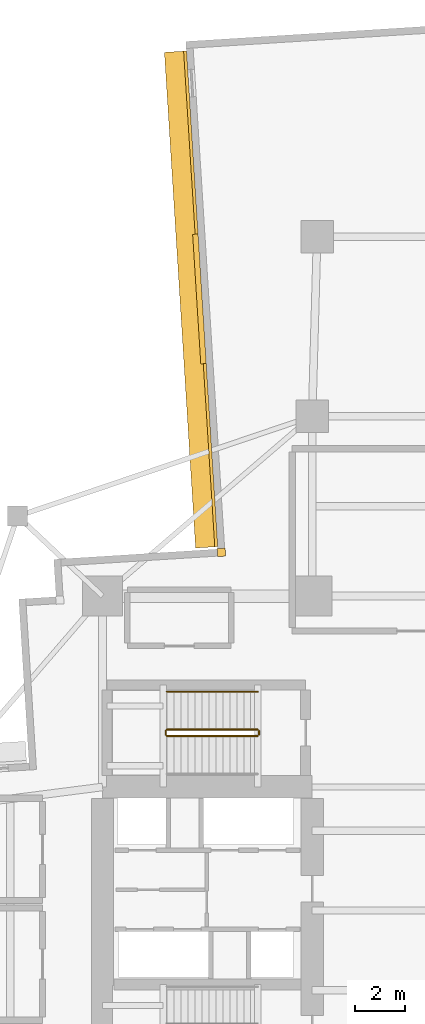
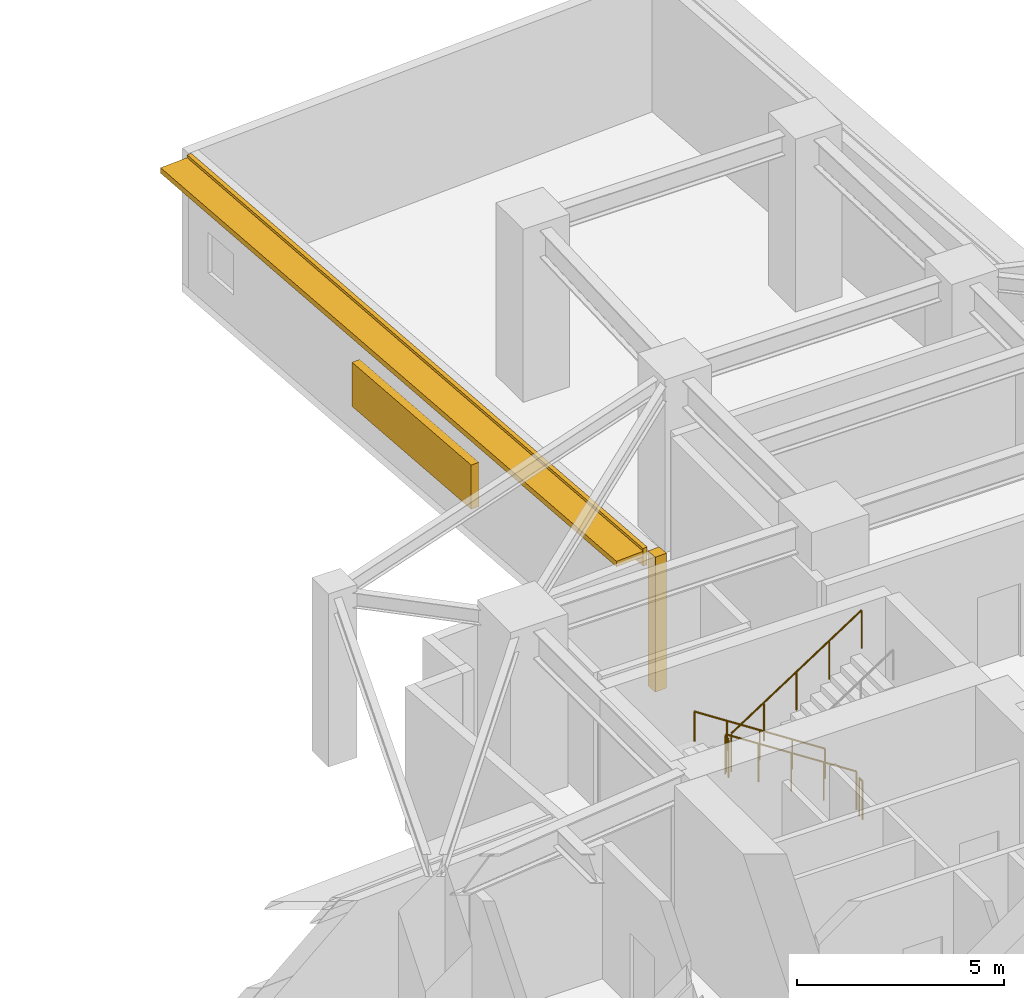
# One storey, part 10 of 11: 5 railings, 2 coverings, 2 shading devices.
"""IFC4 building model written with IfcOpenShell, lengths in metres."""

from ifc_helpers import new_model, si_unit, direction, frame, origin, origin_2d, place, context, subcontext, project, spatial, rectangle, circle, extrude, material, layer, layer_set, type_object, element, save


model = new_model("IFC4")

# Units and contexts
model_context = context("Model", 3, precision=1e-05, world=origin(), true_north=direction((0.0, 1.0)))
body_context = subcontext(model_context, "Body", "Model", "MODEL_VIEW")
ifc_project = project(units=[si_unit("LENGTHUNIT", "METRE"), si_unit("AREAUNIT", "SQUARE_METRE"), si_unit("VOLUMEUNIT", "CUBIC_METRE"), si_unit("PLANEANGLEUNIT", "RADIAN"), si_unit("MASSUNIT", "GRAM", prefix="KILO")], contexts=[model_context])

# Site, building, storey
site_placement = place(None, origin())
site = spatial("IfcSite", under=ifc_project, at=site_placement, CompositionType="ELEMENT")
building_placement = place(site_placement, origin())
building = spatial("IfcBuilding", under=site, at=building_placement, Name="Qingluan Cross Belvedere", CompositionType="ELEMENT")
storey_placement = place(building_placement, frame((0.0, 0.0, 47.10009765625)))
storey = spatial("IfcBuildingStorey", under=building, at=storey_placement, Name="L12", CompositionType="ELEMENT", Elevation=47.10009765625)

# Coverings
ifc_material_1 = material(Name="Precast concrete C45", Category="concrete")
ifc_layer_1 = layer(ifc_material_1, 0.1201171875, Name="ConcreteSpandrelCladding_120")
ifc_layer_set_1 = layer_set([ifc_layer_1], Name="Precast concrete C45")
covering_type = type_object("IfcCoveringType", Name="ConcreteSpandrelCladding_120", PredefinedType="CLADDING", material=ifc_layer_set_1)
covering_1_placement = place(storey_placement, frame((-8.465576171875, 24.5068359375, 3.519775390625), z_axis=(0.0, 0.0, 1.0), x_axis=(0.062791158819, -0.998026688207, 0.0)))
element("IfcCovering", 1, at=covering_1_placement, inside=storey, type_object=covering_type, Name="Spandrel cladding L12-NB", PredefinedType="CLADDING", context=body_context, shape_type="SweptSolid", body=[
    extrude(rectangle(XDim=19.89990234375, YDim=0.1201171875, at=origin_2d()), origin(), (0.0, 0.0, 1.0), 0.52001953125),
])
covering_2_placement = place(storey_placement, frame((-7.635986328125, 14.348876953125, 0.0), z_axis=(0.0, 0.0, 1.0), x_axis=(0.998026728428, 0.062790519529, 0.0)))
element("IfcCovering", 2, at=covering_2_placement, inside=storey, type_object=covering_type, Name="Corner closure L12-NW2", PredefinedType="CLADDING", context=body_context, shape_type="SweptSolid", body=[
    extrude(rectangle(XDim=0.320068359375, YDim=0.320068359375, at=origin_2d()), origin(), (0.0, 0.0, 1.0), 3.97998046875),
])

# Shading devices
ifc_material_2 = material(Name="Precast concrete C45", Category="concrete")
ifc_layer_2 = layer(ifc_material_2, 0.159912109375, Name="ConcreteSunshadeBand_900")
ifc_layer_set_2 = layer_set([ifc_layer_2], Name="Precast concrete C45")
shading_device_type_1 = type_object("IfcShadingDeviceType", Name="ConcreteSunshadeBand_900", PredefinedType="USERDEFINED", material=ifc_layer_set_2)
shading_device_1_placement = place(storey_placement, frame((-8.8447265625, 24.48291015625, 3.7998046875), z_axis=(0.0, 0.0, 1.0), x_axis=(0.062791158819, -0.998026688207, 0.0)))
element("IfcShadingDevice", 3, at=shading_device_1_placement, inside=storey, type_object=shading_device_type_1, Name="Concrete SUNSHADE L12-NB", ObjectType="SUNSHADE", PredefinedType="USERDEFINED", context=body_context, shape_type="SweptSolid", body=[
    extrude(rectangle(XDim=19.89990234375, YDim=0.89990234375, at=origin_2d()), origin(), (0.0, 0.0, 1.0), 0.159912109375),
])
ifc_material_3 = material(Name="Anodised aluminium acoustic louvre screen", Category="aluminium")
ifc_layer_3 = layer(ifc_material_3, 0.219970703125, Name="RefugeAcousticLouvre_Screen")
ifc_layer_set_3 = layer_set([ifc_layer_3], Name="Anodised aluminium acoustic louvre screen")
shading_device_type_2 = type_object("IfcShadingDeviceType", Name="RefugeAcousticLouvre_Screen", PredefinedType="JALOUSIE", material=ifc_layer_set_3)
shading_device_2_placement = place(storey_placement, frame((-8.515380859375, 24.503662109375, 0.94970703125), z_axis=(0.0, 0.0, 1.0), x_axis=(0.062791158819, -0.998026688207, 0.0)))
element("IfcShadingDevice", 4, at=shading_device_2_placement, inside=storey, type_object=shading_device_type_2, Name="Plant acoustic louvre SCREEN L12-NB", PredefinedType="JALOUSIE", context=body_context, shape_type="SweptSolid", body=[
    extrude(rectangle(XDim=5.199951171875, YDim=0.219970703125, at=origin_2d()), origin(), (0.0, 0.0, 1.0), 1.300048828125),
])

# Railings
ifc_material_4 = material(Name="Brushed stainless steel tubular handrail", Category="steel")
railing_type_1 = type_object("IfcRailingType", Name="StairPitchHandrail_900", PredefinedType="HANDRAIL", material=ifc_material_4)
railing_1_placement = place(storey_placement, frame((-6.179931640625, 8.77001953125, 0.18212890625)))
element("IfcRailing", 5, at=railing_1_placement, inside=storey, type_object=railing_type_1, Name="L12 ST3 stair handrail 1", PredefinedType="HANDRAIL", context=body_context, shape_type="SweptSolid", body=[
    extrude(circle(Radius=0.02392578125, at=origin_2d()), frame((0.0, 0.0, 0.8759765625), z_axis=(-0.838276589377, 0.0, 0.545245228959), x_axis=(0.0, -1.0, 0.0)), (0.0, 0.0, 1.0), 4.34228515625),
    extrude(circle(Radius=0.02099609375, at=origin_2d()), origin(), (0.0, 0.0, 1.0), 0.851806640625),
    extrude(circle(Radius=0.02099609375, at=origin_2d()), frame((-0.91015625, 0.0, 0.591796875)), (0.0, 0.0, 1.0), 0.851806640625),
    extrude(circle(Radius=0.02099609375, at=origin_2d()), frame((-1.820068359375, 0.0, 1.183837890625)), (0.0, 0.0, 1.0), 0.851806640625),
    extrude(circle(Radius=0.02099609375, at=origin_2d()), frame((-2.72998046875, 0.0, 1.77587890625)), (0.0, 0.0, 1.0), 0.851806640625),
    extrude(circle(Radius=0.02099609375, at=origin_2d()), frame((-3.64013671875, 0.0, 2.36767578125)), (0.0, 0.0, 1.0), 0.851806640625),
])
ifc_material_5 = material(Name="Painted steel stair well guard", Category="steel")
railing_type_2 = type_object("IfcRailingType", Name="StairWellGuard_1150", PredefinedType="BALUSTRADE", material=ifc_material_5)
railing_2_placement = place(storey_placement, frame((-6.179931640625, 7.25, 0.18212890625)))
element("IfcRailing", 6, at=railing_2_placement, inside=storey, type_object=railing_type_2, Name="L12 ST3 stair guard 1", PredefinedType="BALUSTRADE", context=body_context, shape_type="SweptSolid", body=[
    extrude(circle(Radius=0.02392578125, at=origin_2d()), frame((0.0, 0.0, 1.1259765625), z_axis=(-0.838276589377, 0.0, 0.545245228959), x_axis=(0.0, -1.0, 0.0)), (0.0, 0.0, 1.0), 4.34228515625),
    extrude(circle(Radius=0.02099609375, at=origin_2d()), origin(), (0.0, 0.0, 1.0), 1.101806640625),
    extrude(circle(Radius=0.02099609375, at=origin_2d()), frame((-0.91015625, 0.0, 0.591796875)), (0.0, 0.0, 1.0), 1.101806640625),
    extrude(circle(Radius=0.02099609375, at=origin_2d()), frame((-1.820068359375, 0.0, 1.183837890625)), (0.0, 0.0, 1.0), 1.101806640625),
    extrude(circle(Radius=0.02099609375, at=origin_2d()), frame((-2.72998046875, 0.0, 1.77587890625)), (0.0, 0.0, 1.0), 1.101806640625),
    extrude(circle(Radius=0.02099609375, at=origin_2d()), frame((-3.64013671875, 0.0, 2.36767578125)), (0.0, 0.0, 1.0), 1.101806640625),
])
railing_3_placement = place(storey_placement, frame((-9.8701171875, 7.199951171875, 2.5498046875)))
element("IfcRailing", 7, at=railing_3_placement, inside=storey, type_object=railing_type_2, Name="L12 ST3 stair guard 2", PredefinedType="BALUSTRADE", context=body_context, shape_type="SweptSolid", body=[
    extrude(circle(Radius=0.02392578125, at=origin_2d()), frame((0.0, 0.0, 1.1259765625), z_axis=(0.0, -1.0, 0.0), x_axis=(1.0, 0.0, 0.0)), (0.0, 0.0, 1.0), 0.159912109375),
    extrude(circle(Radius=0.02099609375, at=origin_2d()), origin(), (0.0, 0.0, 1.0), 1.101806640625),
    extrude(circle(Radius=0.02099609375, at=origin_2d()), frame((0.0, -0.159912109375, 0.0)), (0.0, 0.0, 1.0), 1.101806640625),
])
railing_4_placement = place(storey_placement, frame((-9.820068359375, 6.989990234375, 2.73193359375)))
element("IfcRailing", 8, at=railing_4_placement, inside=storey, type_object=railing_type_2, Name="L12 ST3 stair guard 3", PredefinedType="BALUSTRADE", context=body_context, shape_type="SweptSolid", body=[
    extrude(circle(Radius=0.02392578125, at=origin_2d()), frame((0.0, 0.0, 1.1259765625), z_axis=(0.83825089185, 0.0, 0.545284735081), x_axis=(0.0, 1.0, 0.0)), (0.0, 0.0, 1.0), 4.342529296875),
    extrude(circle(Radius=0.02099609375, at=origin_2d()), origin(), (0.0, 0.0, 1.0), 1.101806640625),
    extrude(circle(Radius=0.02099609375, at=origin_2d()), frame((0.91015625, 0.0, 0.592041015625)), (0.0, 0.0, 1.0), 1.101806640625),
    extrude(circle(Radius=0.02099609375, at=origin_2d()), frame((1.820068359375, 0.0, 1.18408203125)), (0.0, 0.0, 1.0), 1.101806640625),
    extrude(circle(Radius=0.02099609375, at=origin_2d()), frame((2.72998046875, 0.0, 1.77587890625)), (0.0, 0.0, 1.0), 1.101806640625),
    extrude(circle(Radius=0.02099609375, at=origin_2d()), frame((3.64013671875, 0.0, 2.367919921875)), (0.0, 0.0, 1.0), 1.101806640625),
])
railing_5_placement = place(storey_placement, frame((-6.1298828125, 7.199951171875, 0.0)))
element("IfcRailing", 9, at=railing_5_placement, inside=storey, type_object=railing_type_2, Name="L12 ST3 stair guard 4", PredefinedType="BALUSTRADE", context=body_context, shape_type="SweptSolid", body=[
    extrude(circle(Radius=0.02392578125, at=origin_2d()), frame((0.0, 0.0, 1.1259765625), z_axis=(0.0, -1.0, 0.0), x_axis=(1.0, 0.0, 0.0)), (0.0, 0.0, 1.0), 0.159912109375),
    extrude(circle(Radius=0.02099609375, at=origin_2d()), origin(), (0.0, 0.0, 1.0), 1.101806640625),
    extrude(circle(Radius=0.02099609375, at=origin_2d()), frame((0.0, -0.159912109375, 0.0)), (0.0, 0.0, 1.0), 1.101806640625),
])

save(model, "model.ifc")
